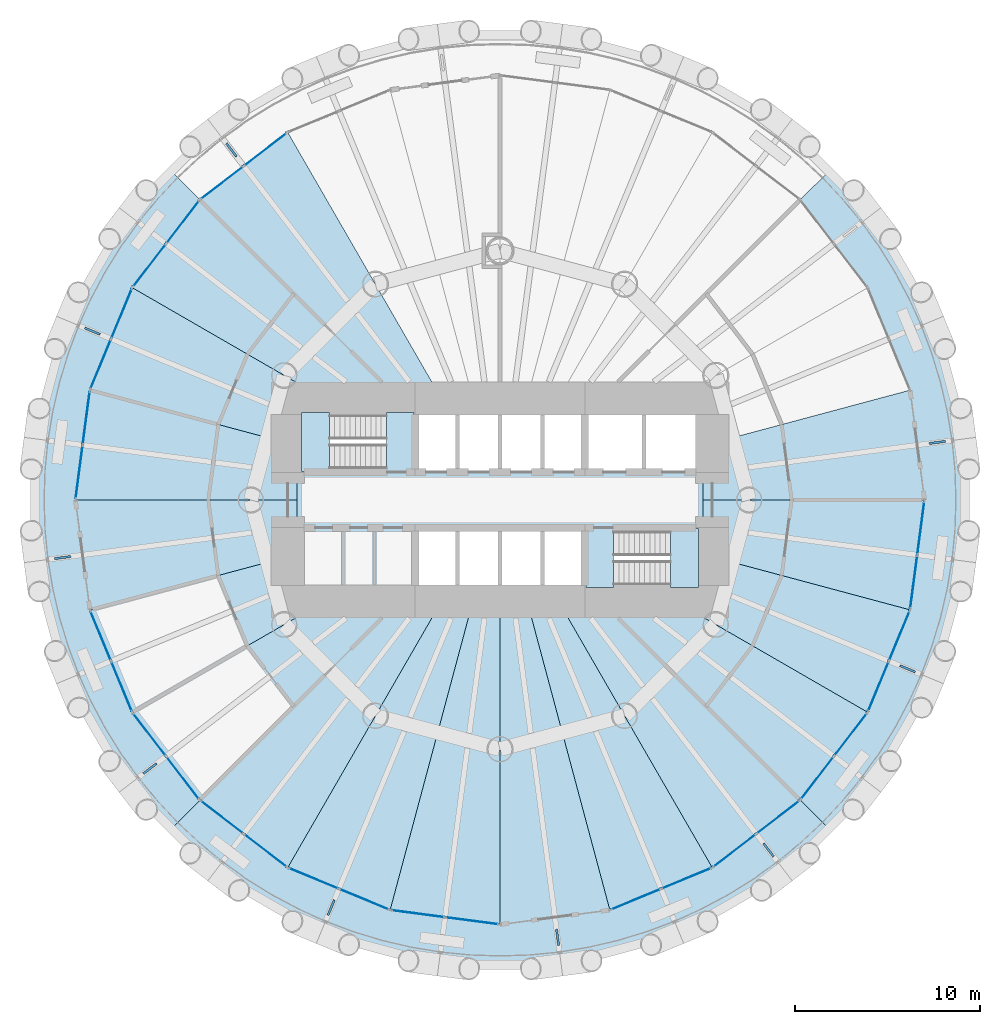
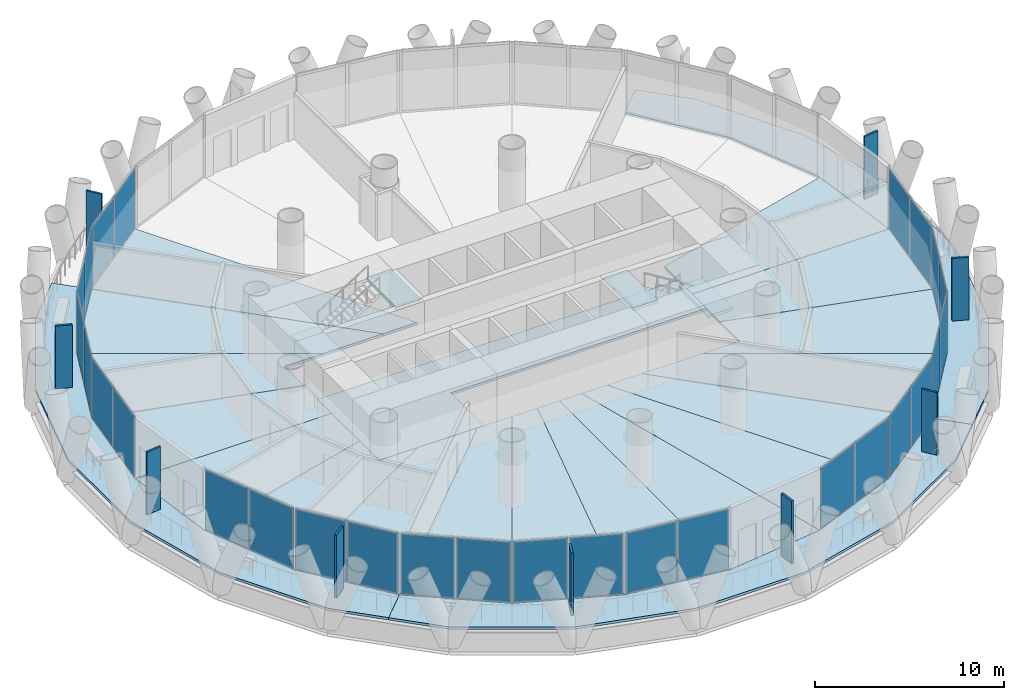
# One storey, part 7 of 14: 37 plates, 25 slabs, 16 elements without a shape of their own.
"""IFC4 building model written with IfcOpenShell, lengths in metres."""

from ifc_helpers import new_model, si_unit, direction, frame, origin, origin_2d, place, context, subcontext, project, spatial, polyline, rectangle, outline, extrude, material, layer, layer_set, type_object, element, aggregate, save


model = new_model("IFC4")

# Units and contexts
model_context = context("Model", 3, precision=1e-05, world=origin(), true_north=direction((0.0, 1.0)))
body_context = subcontext(model_context, "Body", "Model", "MODEL_VIEW")
ifc_project = project(units=[si_unit("LENGTHUNIT", "METRE"), si_unit("AREAUNIT", "SQUARE_METRE"), si_unit("VOLUMEUNIT", "CUBIC_METRE"), si_unit("PLANEANGLEUNIT", "RADIAN"), si_unit("MASSUNIT", "GRAM", prefix="KILO")], contexts=[model_context])

# Site, building, storey
site_placement = place(None, origin())
site = spatial("IfcSite", under=ifc_project, at=site_placement, CompositionType="ELEMENT")
building_placement = place(site_placement, origin())
building = spatial("IfcBuilding", under=site, at=building_placement, Name="Qaws Media Tower", CompositionType="ELEMENT")
storey_placement = place(building_placement, frame((0.0, 0.0, 68.0)))
storey = spatial("IfcBuildingStorey", under=building, at=storey_placement, Name="L14", CompositionType="ELEMENT", Elevation=68.0)

# Slabs
ifc_material_1 = material(Name="Concrete C35/45", Category="concrete")
ifc_layer_1 = layer(ifc_material_1, 0.159912109375)
ifc_layer_set_1 = layer_set([ifc_layer_1], Name="Composite balcony slab 160")
slab_type_1 = type_object("IfcSlabType", Name="Composite balcony slab 160", PredefinedType="FLOOR", material=ifc_layer_set_1)
slab_1_placement = place(storey_placement, frame((0.0, 0.0, -0.159912109375)))
element("IfcSlab", 1, at=slab_1_placement, inside=storey, type_object=slab_type_1, Name="S2 balcony slab L14 R10 to R16, movement joints on R10 and R16", PredefinedType="FLOOR", context=body_context, shape_type="SweptSolid", body=[
    extrude(outline(polyline([(39.848876953125, 34.53759765625), (36.533447265625, 40.27978515625), (34.8173828125, 46.6845703125), (34.8173828125, 53.3154296875), (36.533447265625, 59.72021484375), (39.848876953125, 65.46240234375), (42.193115234375, 67.806884765625), (43.736572265625, 66.263427734375), (40.081298828125, 61.5), (37.78369140625, 55.952880859375), (37.0, 50.0), (37.78369140625, 44.047119140625), (40.081298828125, 38.5), (43.736572265625, 33.736572265625), (42.193115234375, 32.193115234375), (39.848876953125, 34.53759765625)])), origin(), (0.0, 0.0, 1.0), 0.159912109375),
])
slab_2_placement = place(storey_placement, frame((0.0, 0.0, -0.159912109375)))
element("IfcSlab", 2, at=slab_2_placement, inside=storey, type_object=slab_type_1, Name="S2 balcony slab L14 R16 to R22, movement joints on R16 and R22", PredefinedType="FLOOR", context=body_context, shape_type="SweptSolid", body=[
    extrude(outline(polyline([(75.46240234375, 29.848876953125), (69.72021484375, 26.533447265625), (63.3154296875, 24.8173828125), (56.6845703125, 24.8173828125), (50.27978515625, 26.533447265625), (44.53759765625, 29.848876953125), (42.193115234375, 32.193115234375), (43.736572265625, 33.736572265625), (48.5, 30.081298828125), (54.047119140625, 27.78369140625), (60.0, 27.0), (65.952880859375, 27.78369140625), (71.5, 30.081298828125), (76.263427734375, 33.736572265625), (77.806884765625, 32.193115234375), (75.46240234375, 29.848876953125)])), origin(), (0.0, 0.0, 1.0), 0.159912109375),
])
slab_3_placement = place(storey_placement, frame((0.0, 0.0, -0.159912109375)))
element("IfcSlab", 3, at=slab_3_placement, inside=storey, type_object=slab_type_1, Name="S2 balcony slab L14 R22 to R04, movement joints on R22 and R04", PredefinedType="FLOOR", context=body_context, shape_type="SweptSolid", body=[
    extrude(outline(polyline([(83.466552734375, 40.27978515625), (80.151123046875, 34.53759765625), (77.806884765625, 32.193115234375), (76.263427734375, 33.736572265625), (79.918701171875, 38.5), (82.21630859375, 44.047119140625), (83.0, 50.0), (82.21630859375, 55.952880859375), (79.918701171875, 61.5), (76.263427734375, 66.263427734375), (77.806884765625, 67.806884765625), (80.151123046875, 65.46240234375), (83.466552734375, 59.72021484375), (85.1826171875, 53.3154296875), (85.1826171875, 46.6845703125), (83.466552734375, 40.27978515625)])), origin(), (0.0, 0.0, 1.0), 0.159912109375),
])
ifc_material_2 = material(Name="Concrete C35/45", Category="concrete")
ifc_layer_2 = layer(ifc_material_2, 0.159912109375)
ifc_layer_set_2 = layer_set([ifc_layer_2], Name="Composite floor slab 160")
slab_type_2 = type_object("IfcSlabType", Name="Composite floor slab 160", PredefinedType="FLOOR", material=ifc_layer_set_2)
slab_4_placement = place(storey_placement, frame((0.0, 0.0, -0.159912109375)))
element("IfcSlab", 4, at=slab_4_placement, inside=storey, type_object=slab_type_2, Name="S1 core floor slab L14", PredefinedType="FLOOR", context=body_context, shape_type="SweptSolid", body=[
    extrude(outline(polyline([(71.0, 51.5), (71.0, 48.5), (55.39990234375, 48.5), (55.39990234375, 45.0), (49.0, 45.0), (49.0, 51.5), (71.0, 51.5)])), origin(), (0.0, 0.0, 1.0), 0.159912109375),
])
slab_5_placement = place(storey_placement, frame((0.0, 0.0, -0.159912109375)))
element("IfcSlab", 5, at=slab_5_placement, inside=storey, type_object=slab_type_2, Name="S1 floor panel L14 on R01+7.5", PredefinedType="FLOOR", context=body_context, shape_type="SweptSolid", body=[
    extrude(outline(polyline([(82.21630859375, 55.952880859375), (83.0, 50.0), (71.0, 50.0), (71.0, 52.947509765625), (82.21630859375, 55.952880859375)])), origin(), (0.0, 0.0, 1.0), 0.159912109375),
])
slab_6_placement = place(storey_placement, frame((0.0, 0.0, -0.159912109375)))
element("IfcSlab", 6, at=slab_6_placement, inside=storey, type_object=slab_type_2, Name="S1 floor panel L14 on R09+7.5", PredefinedType="FLOOR", context=body_context, shape_type="SweptSolid", body=[
    extrude(outline(polyline([(43.736572265625, 66.263427734375), (48.5, 69.918701171875), (57.11328125, 55.0), (55.0, 55.0), (43.736572265625, 66.263427734375)])), origin(), (0.0, 0.0, 1.0), 0.159912109375),
])
slab_7_placement = place(storey_placement, frame((0.0, 0.0, -0.159912109375)))
element("IfcSlab", 7, at=slab_7_placement, inside=storey, type_object=slab_type_2, Name="S1 floor panel L14 on R10+7.5", PredefinedType="FLOOR", context=body_context, shape_type="SweptSolid", body=[
    extrude(outline(polyline([(40.081298828125, 61.5), (43.736572265625, 66.263427734375), (55.0, 55.0), (51.339599609375, 55.0), (40.081298828125, 61.5)])), origin(), (0.0, 0.0, 1.0), 0.159912109375),
])
slab_8_placement = place(storey_placement, frame((0.0, 0.0, -0.159912109375)))
element("IfcSlab", 8, at=slab_8_placement, inside=storey, type_object=slab_type_2, Name="S1 floor panel L14 on R11+7.5", PredefinedType="FLOOR", context=body_context, shape_type="SweptSolid", body=[
    extrude(outline(polyline([(40.081298828125, 61.5), (51.339599609375, 55.0), (49.0, 55.0), (49.0, 52.947509765625), (37.78369140625, 55.952880859375), (40.081298828125, 61.5)])), origin(), (0.0, 0.0, 1.0), 0.159912109375),
])
slab_9_placement = place(storey_placement, frame((0.0, 0.0, -0.159912109375)))
element("IfcSlab", 9, at=slab_9_placement, inside=storey, type_object=slab_type_2, Name="S1 floor panel L14 on R12+7.5", PredefinedType="FLOOR", context=body_context, shape_type="SweptSolid", body=[
    extrude(outline(polyline([(37.78369140625, 55.952880859375), (49.0, 52.947509765625), (49.0, 50.0), (37.0, 50.0), (37.78369140625, 55.952880859375)])), origin(), (0.0, 0.0, 1.0), 0.159912109375),
])
slab_10_placement = place(storey_placement, frame((0.0, 0.0, -0.159912109375)))
element("IfcSlab", 10, at=slab_10_placement, inside=storey, type_object=slab_type_2, Name="S1 floor panel L14 on R13+7.5", PredefinedType="FLOOR", context=body_context, shape_type="SweptSolid", body=[
    extrude(outline(polyline([(37.78369140625, 44.047119140625), (37.0, 50.0), (49.0, 50.0), (49.0, 47.052490234375), (37.78369140625, 44.047119140625)])), origin(), (0.0, 0.0, 1.0), 0.159912109375),
])
slab_11_placement = place(storey_placement, frame((0.0, 0.0, -0.159912109375)))
element("IfcSlab", 11, at=slab_11_placement, inside=storey, type_object=slab_type_2, Name="S1 floor panel L14 on R14+7.5", PredefinedType="FLOOR", context=body_context, shape_type="SweptSolid", body=[
    extrude(outline(polyline([(37.78369140625, 44.047119140625), (49.0, 47.052490234375), (49.0, 45.0), (51.339599609375, 45.0), (40.081298828125, 38.5), (37.78369140625, 44.047119140625)])), origin(), (0.0, 0.0, 1.0), 0.159912109375),
])
slab_12_placement = place(storey_placement, frame((0.0, 0.0, -0.159912109375)))
element("IfcSlab", 12, at=slab_12_placement, inside=storey, type_object=slab_type_2, Name="S1 floor panel L14 on R15+7.5", PredefinedType="FLOOR", context=body_context, shape_type="SweptSolid", body=[
    extrude(outline(polyline([(40.081298828125, 38.5), (51.339599609375, 45.0), (55.0, 45.0), (43.736572265625, 33.736572265625), (40.081298828125, 38.5)])), origin(), (0.0, 0.0, 1.0), 0.159912109375),
])
slab_13_placement = place(storey_placement, frame((0.0, 0.0, -0.159912109375)))
element("IfcSlab", 13, at=slab_13_placement, inside=storey, type_object=slab_type_2, Name="S1 floor panel L14 on R16+7.5", PredefinedType="FLOOR", context=body_context, shape_type="SweptSolid", body=[
    extrude(outline(polyline([(48.5, 30.081298828125), (43.736572265625, 33.736572265625), (55.0, 45.0), (57.11328125, 45.0), (48.5, 30.081298828125)])), origin(), (0.0, 0.0, 1.0), 0.159912109375),
])
slab_14_placement = place(storey_placement, frame((0.0, 0.0, -0.159912109375)))
element("IfcSlab", 14, at=slab_14_placement, inside=storey, type_object=slab_type_2, Name="S1 floor panel L14 on R17+7.5", PredefinedType="FLOOR", context=body_context, shape_type="SweptSolid", body=[
    extrude(outline(polyline([(48.5, 30.081298828125), (57.11328125, 45.0), (58.660400390625, 45.0), (54.047119140625, 27.78369140625), (48.5, 30.081298828125)])), origin(), (0.0, 0.0, 1.0), 0.159912109375),
])
slab_15_placement = place(storey_placement, frame((0.0, 0.0, -0.159912109375)))
element("IfcSlab", 15, at=slab_15_placement, inside=storey, type_object=slab_type_2, Name="S1 floor panel L14 on R18+7.5", PredefinedType="FLOOR", context=body_context, shape_type="SweptSolid", body=[
    extrude(outline(polyline([(54.047119140625, 27.78369140625), (58.660400390625, 45.0), (60.0, 45.0), (60.0, 27.0), (54.047119140625, 27.78369140625)])), origin(), (0.0, 0.0, 1.0), 0.159912109375),
])
slab_16_placement = place(storey_placement, frame((0.0, 0.0, -0.159912109375)))
element("IfcSlab", 16, at=slab_16_placement, inside=storey, type_object=slab_type_2, Name="S1 floor panel L14 on R19+7.5", PredefinedType="FLOOR", context=body_context, shape_type="SweptSolid", body=[
    extrude(outline(polyline([(65.952880859375, 27.78369140625), (60.0, 27.0), (60.0, 45.0), (61.339599609375, 45.0), (65.952880859375, 27.78369140625)])), origin(), (0.0, 0.0, 1.0), 0.159912109375),
])
slab_17_placement = place(storey_placement, frame((0.0, 0.0, -0.159912109375)))
element("IfcSlab", 17, at=slab_17_placement, inside=storey, type_object=slab_type_2, Name="S1 floor panel L14 on R20+7.5", PredefinedType="FLOOR", context=body_context, shape_type="SweptSolid", body=[
    extrude(outline(polyline([(65.952880859375, 27.78369140625), (61.339599609375, 45.0), (62.88671875, 45.0), (71.5, 30.081298828125), (65.952880859375, 27.78369140625)])), origin(), (0.0, 0.0, 1.0), 0.159912109375),
])
slab_18_placement = place(storey_placement, frame((0.0, 0.0, -0.159912109375)))
element("IfcSlab", 18, at=slab_18_placement, inside=storey, type_object=slab_type_2, Name="S1 floor panel L14 on R21+7.5", PredefinedType="FLOOR", context=body_context, shape_type="SweptSolid", body=[
    extrude(outline(polyline([(76.263427734375, 33.736572265625), (71.5, 30.081298828125), (62.88671875, 45.0), (65.0, 45.0), (76.263427734375, 33.736572265625)])), origin(), (0.0, 0.0, 1.0), 0.159912109375),
])
slab_19_placement = place(storey_placement, frame((0.0, 0.0, -0.159912109375)))
element("IfcSlab", 19, at=slab_19_placement, inside=storey, type_object=slab_type_2, Name="S1 floor panel L14 on R22+7.5", PredefinedType="FLOOR", context=body_context, shape_type="SweptSolid", body=[
    extrude(outline(polyline([(79.918701171875, 38.5), (76.263427734375, 33.736572265625), (65.0, 45.0), (68.660400390625, 45.0), (79.918701171875, 38.5)])), origin(), (0.0, 0.0, 1.0), 0.159912109375),
])
slab_20_placement = place(storey_placement, frame((0.0, 0.0, -0.159912109375)))
element("IfcSlab", 20, at=slab_20_placement, inside=storey, type_object=slab_type_2, Name="S1 floor panel L14 on R23+7.5", PredefinedType="FLOOR", context=body_context, shape_type="SweptSolid", body=[
    extrude(outline(polyline([(79.918701171875, 38.5), (68.660400390625, 45.0), (71.0, 45.0), (71.0, 47.052490234375), (82.21630859375, 44.047119140625), (79.918701171875, 38.5)])), origin(), (0.0, 0.0, 1.0), 0.159912109375),
])
slab_21_placement = place(storey_placement, frame((0.0, 0.0, -0.159912109375)))
element("IfcSlab", 21, at=slab_21_placement, inside=storey, type_object=slab_type_2, Name="S1 floor panel L14 on R24+7.5", PredefinedType="FLOOR", context=body_context, shape_type="SweptSolid", body=[
    extrude(outline(polyline([(82.21630859375, 44.047119140625), (71.0, 47.052490234375), (71.0, 50.0), (83.0, 50.0), (82.21630859375, 44.047119140625)])), origin(), (0.0, 0.0, 1.0), 0.159912109375),
])

# Curtain wall, plates
ifc_material_3 = material(Name="Aluminium and clear glass", Category="aluminium")
curtain_wall_type = type_object("IfcCurtainWallType", Name="Unitised curtain wall CW-A", PredefinedType="NOTDEFINED", material=ifc_material_3)
curtain_wall_1_placement = place(storey_placement, origin())
curtain_wall_1 = element("IfcCurtainWall", 22, at=curtain_wall_1_placement, inside=storey, type_object=curtain_wall_type, Name="CWA curtain wall L14-09", PredefinedType="NOTDEFINED")
ifc_material_4 = material(Name="Clear laminated double glazing", Category="glass")
ifc_layer_3 = layer(ifc_material_4, 0.031982421875)
ifc_layer_set_3 = layer_set([ifc_layer_3], Name="Curtain wall glass unit 32")
plate_type_1 = type_object("IfcPlateType", Name="Curtain wall glass unit 32", PredefinedType="CURTAIN_PANEL", material=ifc_layer_set_3)
plate_1_placement = place(storey_placement, frame((47.293212890625, 68.99267578125, 0.080078125), z_axis=(0.0, 0.0, 1.0), x_axis=(-0.793353368033, -0.608761392855, 0.0)))
plate_1 = element("IfcPlate", 23, at=plate_1_placement, type_object=plate_type_1, Name="CWA panel 1.1", PredefinedType="CURTAIN_PANEL", context=body_context, shape_type="SweptSolid", body=[
    extrude(rectangle(XDim=2.882080078125, YDim=0.031982421875, at=origin_2d()), origin(), (0.0, 0.0, 1.0), 3.8798828125),
])
plate_2_placement = place(storey_placement, frame((44.943359375, 67.189453125, 0.080078125), z_axis=(0.0, 0.0, 1.0), x_axis=(-0.793353368033, -0.608761392855, 0.0)))
plate_2 = element("IfcPlate", 24, at=plate_2_placement, type_object=plate_type_1, Name="CWA panel 2.1", PredefinedType="CURTAIN_PANEL", context=body_context, shape_type="SweptSolid", body=[
    extrude(rectangle(XDim=2.882080078125, YDim=0.031982421875, at=origin_2d()), origin(), (0.0, 0.0, 1.0), 3.8798828125),
])
aggregate(curtain_wall_1, [plate_1, plate_2])

curtain_wall_2_placement = place(storey_placement, origin())
curtain_wall_2 = element("IfcCurtainWall", 25, at=curtain_wall_2_placement, inside=storey, type_object=curtain_wall_type, Name="CWA curtain wall L14-10", PredefinedType="NOTDEFINED")
plate_3_placement = place(storey_placement, frame((42.810546875, 65.056640625, 0.080078125), z_axis=(0.0, 0.0, 1.0), x_axis=(-0.608761392855, -0.793353368033, 0.0)))
plate_3 = element("IfcPlate", 26, at=plate_3_placement, type_object=plate_type_1, Name="CWA panel 1.1", PredefinedType="CURTAIN_PANEL", context=body_context, shape_type="SweptSolid", body=[
    extrude(rectangle(XDim=2.882080078125, YDim=0.031982421875, at=origin_2d()), origin(), (0.0, 0.0, 1.0), 3.8798828125),
])
plate_4_placement = place(storey_placement, frame((41.00732421875, 62.706787109375, 0.080078125), z_axis=(0.0, 0.0, 1.0), x_axis=(-0.608761392855, -0.793353368033, 0.0)))
plate_4 = element("IfcPlate", 27, at=plate_4_placement, type_object=plate_type_1, Name="CWA panel 2.1", PredefinedType="CURTAIN_PANEL", context=body_context, shape_type="SweptSolid", body=[
    extrude(rectangle(XDim=2.882080078125, YDim=0.031982421875, at=origin_2d()), origin(), (0.0, 0.0, 1.0), 3.8798828125),
])
aggregate(curtain_wall_2, [plate_3, plate_4])

curtain_wall_3_placement = place(storey_placement, origin())
curtain_wall_3 = element("IfcCurtainWall", 28, at=curtain_wall_3_placement, inside=storey, type_object=curtain_wall_type, Name="CWA curtain wall L14-11", PredefinedType="NOTDEFINED")
plate_5_placement = place(storey_placement, frame((39.499267578125, 60.0947265625, 0.080078125), z_axis=(0.0, 0.0, 1.0), x_axis=(-0.382683470307, -0.923879516795, 0.0)))
plate_5 = element("IfcPlate", 29, at=plate_5_placement, type_object=plate_type_1, Name="CWA panel 1.1", PredefinedType="CURTAIN_PANEL", context=body_context, shape_type="SweptSolid", body=[
    extrude(rectangle(XDim=2.882080078125, YDim=0.031982421875, at=origin_2d()), origin(), (0.0, 0.0, 1.0), 3.8798828125),
])
plate_6_placement = place(storey_placement, frame((38.36572265625, 57.358154296875, 0.080078125), z_axis=(0.0, 0.0, 1.0), x_axis=(-0.382683470307, -0.923879516795, 0.0)))
plate_6 = element("IfcPlate", 30, at=plate_6_placement, type_object=plate_type_1, Name="CWA panel 2.1", PredefinedType="CURTAIN_PANEL", context=body_context, shape_type="SweptSolid", body=[
    extrude(rectangle(XDim=2.882080078125, YDim=0.031982421875, at=origin_2d()), origin(), (0.0, 0.0, 1.0), 3.8798828125),
])
aggregate(curtain_wall_3, [plate_5, plate_6])

curtain_wall_4_placement = place(storey_placement, origin())
curtain_wall_4 = element("IfcCurtainWall", 31, at=curtain_wall_4_placement, inside=storey, type_object=curtain_wall_type, Name="CWA curtain wall L14-12", PredefinedType="NOTDEFINED")
plate_7_placement = place(storey_placement, frame((37.585205078125, 54.44482421875, 0.080078125), z_axis=(0.0, 0.0, 1.0), x_axis=(-0.130526193795, -0.991444861167, 0.0)))
plate_7 = element("IfcPlate", 32, at=plate_7_placement, type_object=plate_type_1, Name="CWA panel 1.1", PredefinedType="CURTAIN_PANEL", context=body_context, shape_type="SweptSolid", body=[
    extrude(rectangle(XDim=2.882080078125, YDim=0.031982421875, at=origin_2d()), origin(), (0.0, 0.0, 1.0), 3.8798828125),
])
plate_8_placement = place(storey_placement, frame((37.198486328125, 51.508056640625, 0.080078125), z_axis=(0.0, 0.0, 1.0), x_axis=(-0.130526193795, -0.991444861167, 0.0)))
plate_8 = element("IfcPlate", 33, at=plate_8_placement, type_object=plate_type_1, Name="CWA panel 2.1", PredefinedType="CURTAIN_PANEL", context=body_context, shape_type="SweptSolid", body=[
    extrude(rectangle(XDim=2.882080078125, YDim=0.031982421875, at=origin_2d()), origin(), (0.0, 0.0, 1.0), 3.8798828125),
])
aggregate(curtain_wall_4, [plate_7, plate_8])

curtain_wall_5_placement = place(storey_placement, origin())
curtain_wall_5 = element("IfcCurtainWall", 34, at=curtain_wall_5_placement, inside=storey, type_object=curtain_wall_type, Name="CWA curtain wall L14-14", PredefinedType="NOTDEFINED")
plate_9_placement = place(storey_placement, frame((38.36572265625, 42.641845703125, 0.080078125), z_axis=(0.0, 0.0, 1.0), x_axis=(0.382683470307, -0.923879516795, 0.0)))
plate_9 = element("IfcPlate", 35, at=plate_9_placement, type_object=plate_type_1, Name="CWA panel 1.1", PredefinedType="CURTAIN_PANEL", context=body_context, shape_type="SweptSolid", body=[
    extrude(rectangle(XDim=2.882080078125, YDim=0.031982421875, at=origin_2d()), origin(), (0.0, 0.0, 1.0), 3.8798828125),
])
plate_10_placement = place(storey_placement, frame((39.499267578125, 39.9052734375, 0.080078125), z_axis=(0.0, 0.0, 1.0), x_axis=(0.382683470307, -0.923879516795, 0.0)))
plate_10 = element("IfcPlate", 36, at=plate_10_placement, type_object=plate_type_1, Name="CWA panel 2.1", PredefinedType="CURTAIN_PANEL", context=body_context, shape_type="SweptSolid", body=[
    extrude(rectangle(XDim=2.882080078125, YDim=0.031982421875, at=origin_2d()), origin(), (0.0, 0.0, 1.0), 3.8798828125),
])
aggregate(curtain_wall_5, [plate_9, plate_10])

curtain_wall_6_placement = place(storey_placement, origin())
curtain_wall_6 = element("IfcCurtainWall", 37, at=curtain_wall_6_placement, inside=storey, type_object=curtain_wall_type, Name="CWA curtain wall L14-15", PredefinedType="NOTDEFINED")
plate_11_placement = place(storey_placement, frame((41.00732421875, 37.293212890625, 0.080078125), z_axis=(0.0, 0.0, 1.0), x_axis=(0.608761392855, -0.793353368033, 0.0)))
plate_11 = element("IfcPlate", 38, at=plate_11_placement, type_object=plate_type_1, Name="CWA panel 1.1", PredefinedType="CURTAIN_PANEL", context=body_context, shape_type="SweptSolid", body=[
    extrude(rectangle(XDim=2.882080078125, YDim=0.031982421875, at=origin_2d()), origin(), (0.0, 0.0, 1.0), 3.8798828125),
])
plate_12_placement = place(storey_placement, frame((42.810546875, 34.943359375, 0.080078125), z_axis=(0.0, 0.0, 1.0), x_axis=(0.608761392855, -0.793353368033, 0.0)))
plate_12 = element("IfcPlate", 39, at=plate_12_placement, type_object=plate_type_1, Name="CWA panel 2.1", PredefinedType="CURTAIN_PANEL", context=body_context, shape_type="SweptSolid", body=[
    extrude(rectangle(XDim=2.882080078125, YDim=0.031982421875, at=origin_2d()), origin(), (0.0, 0.0, 1.0), 3.8798828125),
])
aggregate(curtain_wall_6, [plate_11, plate_12])

curtain_wall_7_placement = place(storey_placement, origin())
curtain_wall_7 = element("IfcCurtainWall", 40, at=curtain_wall_7_placement, inside=storey, type_object=curtain_wall_type, Name="CWA curtain wall L14-16", PredefinedType="NOTDEFINED")
plate_13_placement = place(storey_placement, frame((44.943359375, 32.810546875, 0.080078125), z_axis=(0.0, 0.0, 1.0), x_axis=(0.793353368033, -0.608761392855, 0.0)))
plate_13 = element("IfcPlate", 41, at=plate_13_placement, type_object=plate_type_1, Name="CWA panel 1.1", PredefinedType="CURTAIN_PANEL", context=body_context, shape_type="SweptSolid", body=[
    extrude(rectangle(XDim=2.882080078125, YDim=0.031982421875, at=origin_2d()), origin(), (0.0, 0.0, 1.0), 3.8798828125),
])
plate_14_placement = place(storey_placement, frame((47.293212890625, 31.00732421875, 0.080078125), z_axis=(0.0, 0.0, 1.0), x_axis=(0.793353368033, -0.608761392855, 0.0)))
plate_14 = element("IfcPlate", 42, at=plate_14_placement, type_object=plate_type_1, Name="CWA panel 2.1", PredefinedType="CURTAIN_PANEL", context=body_context, shape_type="SweptSolid", body=[
    extrude(rectangle(XDim=2.882080078125, YDim=0.031982421875, at=origin_2d()), origin(), (0.0, 0.0, 1.0), 3.8798828125),
])
aggregate(curtain_wall_7, [plate_13, plate_14])

curtain_wall_8_placement = place(storey_placement, origin())
curtain_wall_8 = element("IfcCurtainWall", 43, at=curtain_wall_8_placement, inside=storey, type_object=curtain_wall_type, Name="CWA curtain wall L14-17", PredefinedType="NOTDEFINED")
plate_15_placement = place(storey_placement, frame((49.9052734375, 29.499267578125, 0.080078125), z_axis=(0.0, 0.0, 1.0), x_axis=(0.923879516795, -0.382683470307, 0.0)))
plate_15 = element("IfcPlate", 44, at=plate_15_placement, type_object=plate_type_1, Name="CWA panel 1.1", PredefinedType="CURTAIN_PANEL", context=body_context, shape_type="SweptSolid", body=[
    extrude(rectangle(XDim=2.882080078125, YDim=0.031982421875, at=origin_2d()), origin(), (0.0, 0.0, 1.0), 3.8798828125),
])
plate_16_placement = place(storey_placement, frame((52.641845703125, 28.36572265625, 0.080078125), z_axis=(0.0, 0.0, 1.0), x_axis=(0.923879516795, -0.382683470307, 0.0)))
plate_16 = element("IfcPlate", 45, at=plate_16_placement, type_object=plate_type_1, Name="CWA panel 2.1", PredefinedType="CURTAIN_PANEL", context=body_context, shape_type="SweptSolid", body=[
    extrude(rectangle(XDim=2.882080078125, YDim=0.031982421875, at=origin_2d()), origin(), (0.0, 0.0, 1.0), 3.8798828125),
])
aggregate(curtain_wall_8, [plate_15, plate_16])

curtain_wall_9_placement = place(storey_placement, origin())
curtain_wall_9 = element("IfcCurtainWall", 46, at=curtain_wall_9_placement, inside=storey, type_object=curtain_wall_type, Name="CWA curtain wall L14-18", PredefinedType="NOTDEFINED")
plate_17_placement = place(storey_placement, frame((55.55517578125, 27.585205078125, 0.080078125), z_axis=(0.0, 0.0, 1.0), x_axis=(0.991444861167, -0.130526193795, 0.0)))
plate_17 = element("IfcPlate", 47, at=plate_17_placement, type_object=plate_type_1, Name="CWA panel 1.1", PredefinedType="CURTAIN_PANEL", context=body_context, shape_type="SweptSolid", body=[
    extrude(rectangle(XDim=2.882080078125, YDim=0.031982421875, at=origin_2d()), origin(), (0.0, 0.0, 1.0), 3.8798828125),
])
plate_18_placement = place(storey_placement, frame((58.491943359375, 27.198486328125, 0.080078125), z_axis=(0.0, 0.0, 1.0), x_axis=(0.991444861167, -0.130526193795, 0.0)))
plate_18 = element("IfcPlate", 48, at=plate_18_placement, type_object=plate_type_1, Name="CWA panel 2.1", PredefinedType="CURTAIN_PANEL", context=body_context, shape_type="SweptSolid", body=[
    extrude(rectangle(XDim=2.882080078125, YDim=0.031982421875, at=origin_2d()), origin(), (0.0, 0.0, 1.0), 3.8798828125),
])
aggregate(curtain_wall_9, [plate_17, plate_18])

curtain_wall_10_placement = place(storey_placement, origin())
curtain_wall_10 = element("IfcCurtainWall", 49, at=curtain_wall_10_placement, inside=storey, type_object=curtain_wall_type, Name="CWA curtain wall L14-20", PredefinedType="NOTDEFINED")
plate_19_placement = place(storey_placement, frame((67.358154296875, 28.36572265625, 0.080078125), z_axis=(0.0, 0.0, 1.0), x_axis=(0.923879516795, 0.382683470307, 0.0)))
plate_19 = element("IfcPlate", 50, at=plate_19_placement, type_object=plate_type_1, Name="CWA panel 1.1", PredefinedType="CURTAIN_PANEL", context=body_context, shape_type="SweptSolid", body=[
    extrude(rectangle(XDim=2.882080078125, YDim=0.031982421875, at=origin_2d()), origin(), (0.0, 0.0, 1.0), 3.8798828125),
])
plate_20_placement = place(storey_placement, frame((70.0947265625, 29.499267578125, 0.080078125), z_axis=(0.0, 0.0, 1.0), x_axis=(0.923879516795, 0.382683470307, 0.0)))
plate_20 = element("IfcPlate", 51, at=plate_20_placement, type_object=plate_type_1, Name="CWA panel 2.1", PredefinedType="CURTAIN_PANEL", context=body_context, shape_type="SweptSolid", body=[
    extrude(rectangle(XDim=2.882080078125, YDim=0.031982421875, at=origin_2d()), origin(), (0.0, 0.0, 1.0), 3.8798828125),
])
aggregate(curtain_wall_10, [plate_19, plate_20])

curtain_wall_11_placement = place(storey_placement, origin())
curtain_wall_11 = element("IfcCurtainWall", 52, at=curtain_wall_11_placement, inside=storey, type_object=curtain_wall_type, Name="CWA curtain wall L14-21", PredefinedType="NOTDEFINED")
plate_21_placement = place(storey_placement, frame((72.706787109375, 31.00732421875, 0.080078125), z_axis=(0.0, 0.0, 1.0), x_axis=(0.793353368033, 0.608761392855, 0.0)))
plate_21 = element("IfcPlate", 53, at=plate_21_placement, type_object=plate_type_1, Name="CWA panel 1.1", PredefinedType="CURTAIN_PANEL", context=body_context, shape_type="SweptSolid", body=[
    extrude(rectangle(XDim=2.882080078125, YDim=0.031982421875, at=origin_2d()), origin(), (0.0, 0.0, 1.0), 3.8798828125),
])
plate_22_placement = place(storey_placement, frame((75.056640625, 32.810546875, 0.080078125), z_axis=(0.0, 0.0, 1.0), x_axis=(0.793353368033, 0.608761392855, 0.0)))
plate_22 = element("IfcPlate", 54, at=plate_22_placement, type_object=plate_type_1, Name="CWA panel 2.1", PredefinedType="CURTAIN_PANEL", context=body_context, shape_type="SweptSolid", body=[
    extrude(rectangle(XDim=2.882080078125, YDim=0.031982421875, at=origin_2d()), origin(), (0.0, 0.0, 1.0), 3.8798828125),
])
aggregate(curtain_wall_11, [plate_21, plate_22])

curtain_wall_12_placement = place(storey_placement, origin())
curtain_wall_12 = element("IfcCurtainWall", 55, at=curtain_wall_12_placement, inside=storey, type_object=curtain_wall_type, Name="CWA curtain wall L14-22", PredefinedType="NOTDEFINED")
plate_23_placement = place(storey_placement, frame((77.189453125, 34.943359375, 0.080078125), z_axis=(0.0, 0.0, 1.0), x_axis=(0.608761392855, 0.793353368033, 0.0)))
plate_23 = element("IfcPlate", 56, at=plate_23_placement, type_object=plate_type_1, Name="CWA panel 1.1", PredefinedType="CURTAIN_PANEL", context=body_context, shape_type="SweptSolid", body=[
    extrude(rectangle(XDim=2.882080078125, YDim=0.031982421875, at=origin_2d()), origin(), (0.0, 0.0, 1.0), 3.8798828125),
])
plate_24_placement = place(storey_placement, frame((78.99267578125, 37.293212890625, 0.080078125), z_axis=(0.0, 0.0, 1.0), x_axis=(0.608761392855, 0.793353368033, 0.0)))
plate_24 = element("IfcPlate", 57, at=plate_24_placement, type_object=plate_type_1, Name="CWA panel 2.1", PredefinedType="CURTAIN_PANEL", context=body_context, shape_type="SweptSolid", body=[
    extrude(rectangle(XDim=2.882080078125, YDim=0.031982421875, at=origin_2d()), origin(), (0.0, 0.0, 1.0), 3.8798828125),
])
aggregate(curtain_wall_12, [plate_23, plate_24])

curtain_wall_13_placement = place(storey_placement, origin())
curtain_wall_13 = element("IfcCurtainWall", 58, at=curtain_wall_13_placement, inside=storey, type_object=curtain_wall_type, Name="CWA curtain wall L14-23", PredefinedType="NOTDEFINED")
plate_25_placement = place(storey_placement, frame((80.500732421875, 39.9052734375, 0.080078125), z_axis=(0.0, 0.0, 1.0), x_axis=(0.382683470307, 0.923879516795, 0.0)))
plate_25 = element("IfcPlate", 59, at=plate_25_placement, type_object=plate_type_1, Name="CWA panel 1.1", PredefinedType="CURTAIN_PANEL", context=body_context, shape_type="SweptSolid", body=[
    extrude(rectangle(XDim=2.882080078125, YDim=0.031982421875, at=origin_2d()), origin(), (0.0, 0.0, 1.0), 3.8798828125),
])
plate_26_placement = place(storey_placement, frame((81.63427734375, 42.641845703125, 0.080078125), z_axis=(0.0, 0.0, 1.0), x_axis=(0.382683470307, 0.923879516795, 0.0)))
plate_26 = element("IfcPlate", 60, at=plate_26_placement, type_object=plate_type_1, Name="CWA panel 2.1", PredefinedType="CURTAIN_PANEL", context=body_context, shape_type="SweptSolid", body=[
    extrude(rectangle(XDim=2.882080078125, YDim=0.031982421875, at=origin_2d()), origin(), (0.0, 0.0, 1.0), 3.8798828125),
])
aggregate(curtain_wall_13, [plate_25, plate_26])

curtain_wall_14_placement = place(storey_placement, origin())
curtain_wall_14 = element("IfcCurtainWall", 61, at=curtain_wall_14_placement, inside=storey, type_object=curtain_wall_type, Name="CWA curtain wall L14-24", PredefinedType="NOTDEFINED")
plate_27_placement = place(storey_placement, frame((82.414794921875, 45.55517578125, 0.080078125), z_axis=(0.0, 0.0, 1.0), x_axis=(0.130526193795, 0.991444861167, 0.0)))
plate_27 = element("IfcPlate", 62, at=plate_27_placement, type_object=plate_type_1, Name="CWA panel 1.1", PredefinedType="CURTAIN_PANEL", context=body_context, shape_type="SweptSolid", body=[
    extrude(rectangle(XDim=2.882080078125, YDim=0.031982421875, at=origin_2d()), origin(), (0.0, 0.0, 1.0), 3.8798828125),
])
plate_28_placement = place(storey_placement, frame((82.801513671875, 48.491943359375, 0.080078125), z_axis=(0.0, 0.0, 1.0), x_axis=(0.130526193795, 0.991444861167, 0.0)))
plate_28 = element("IfcPlate", 63, at=plate_28_placement, type_object=plate_type_1, Name="CWA panel 2.1", PredefinedType="CURTAIN_PANEL", context=body_context, shape_type="SweptSolid", body=[
    extrude(rectangle(XDim=2.882080078125, YDim=0.031982421875, at=origin_2d()), origin(), (0.0, 0.0, 1.0), 3.8798828125),
])
aggregate(curtain_wall_14, [plate_27, plate_28])

# Plates
ifc_material_5 = material(Name="Precast concrete screen fin", Category="concrete")
ifc_layer_4 = layer(ifc_material_5, 0.1201171875)
ifc_layer_set_4 = layer_set([ifc_layer_4], Name="Screen fin 120x900")
plate_type_2 = type_object("IfcPlateType", Name="Screen fin 120x900", PredefinedType="USERDEFINED", material=ifc_layer_set_4)
for number, where, z_axis, x_axis, name in (
    (64, (83.695556640625, 53.11962890625, 0.0), (0.0, 0.0, 1.0), (0.991444861374, 0.13052619222, 0.0), "SCR1 screen fin L14-01"),
    (65, (45.45068359375, 68.961181640625, 0.0), (0.0, 0.0, 1.0), (-0.608761429009, 0.793353340291, 0.0), "SCR1 screen fin L14-05"),
    (66, (37.919189453125, 59.146240234375, 0.0), (0.0, 0.0, 1.0), (-0.923879532511, 0.382683432365, 0.0), "SCR1 screen fin L14-06"),
    (67, (36.304443359375, 46.88037109375, 0.0), (0.0, 0.0, 1.0), (-0.991444861374, -0.13052619222, 0.0), "SCR1 screen fin L14-07"),
    (68, (41.038818359375, 35.45068359375, 0.0), (0.0, 0.0, 1.0), (-0.793353340291, -0.608761429009, 0.0), "SCR1 screen fin L14-08"),
    (69, (50.853759765625, 27.919189453125, 0.0), (0.0, 0.0, 1.0), (-0.382683432365, -0.923879532511, 0.0), "SCR1 screen fin L14-09"),
    (70, (63.11962890625, 26.304443359375, 0.0), (0.0, 0.0, 1.0), (0.13052619222, -0.991444861374, 0.0), "SCR1 screen fin L14-10"),
    (71, (74.54931640625, 31.038818359375, 0.0), (0.0, 0.0, 1.0), (0.608761429009, -0.793353340291, 0.0), "SCR1 screen fin L14-11"),
    (72, (82.080810546875, 40.853759765625, 0.0), (0.0, 0.0, 1.0), (0.923879532511, -0.382683432365, 0.0), "SCR1 screen fin L14-12"),
):
    element("IfcPlate", number, at=place(storey_placement, frame(where, z_axis=z_axis, x_axis=x_axis)), inside=storey, type_object=plate_type_2, Name=name, ObjectType="SCREEN", PredefinedType="USERDEFINED", context=body_context, shape_type="SweptSolid", body=[
        extrude(rectangle(XDim=0.89990234375, YDim=0.1201171875, at=origin_2d()), origin(), (0.0, 0.0, 1.0), 4.0400390625),
    ])

# Stair, slabs
ifc_material_6 = material(Name="Concrete C40/50", Category="concrete")
stair_type = type_object("IfcStairType", Name="Exit stair", PredefinedType="HALF_TURN_STAIR", material=ifc_material_6)
stair_1_placement = place(storey_placement, origin())
stair_1 = element("IfcStair", 73, at=stair_1_placement, inside=storey, type_object=stair_type, Name="S1 exit stair L14", PredefinedType="HALF_TURN_STAIR")
ifc_material_7 = material(Name="Concrete C40/50", Category="concrete")
ifc_layer_5 = layer(ifc_material_7, 0.199951171875)
ifc_layer_set_5 = layer_set([ifc_layer_5], Name="Stair landing 200")
slab_type_3 = type_object("IfcSlabType", Name="Stair landing 200", PredefinedType="LANDING", material=ifc_layer_set_5)
slab_22_placement = place(storey_placement, frame((0.0, 0.0, 1.89990234375)))
slab_22 = element("IfcSlab", 74, at=slab_22_placement, type_object=slab_type_3, Name="S1 landing 1", PredefinedType="LANDING", context=body_context, shape_type="SweptSolid", body=[
    extrude(outline(polyline([(49.25, 51.550048828125), (50.760009765625, 51.550048828125), (50.760009765625, 54.75), (49.25, 54.75), (49.25, 51.550048828125)])), origin(), (0.0, 0.0, 1.0), 0.2001953125),
])
slab_23_placement = place(storey_placement, frame((0.0, 0.0, 4.0)))
slab_23 = element("IfcSlab", 75, at=slab_23_placement, type_object=slab_type_3, Name="S1 landing 2", PredefinedType="LANDING", context=body_context, shape_type="SweptSolid", body=[
    extrude(outline(polyline([(53.840087890625, 51.550048828125), (55.35009765625, 51.550048828125), (55.35009765625, 54.75), (53.840087890625, 54.75), (53.840087890625, 51.550048828125)])), origin(), (0.0, 0.0, 1.0), 0.199951171875),
])
aggregate(stair_1, [slab_22, slab_23])

stair_2_placement = place(storey_placement, origin())
stair_2 = element("IfcStair", 76, at=stair_2_placement, inside=storey, type_object=stair_type, Name="S2 exit stair L14", PredefinedType="HALF_TURN_STAIR")
slab_24_placement = place(storey_placement, frame((0.0, 0.0, 1.89990234375)))
slab_24 = element("IfcSlab", 77, at=slab_24_placement, type_object=slab_type_3, Name="S2 landing 1", PredefinedType="LANDING", context=body_context, shape_type="SweptSolid", body=[
    extrude(outline(polyline([(69.239990234375, 45.25), (70.75, 45.25), (70.75, 48.449951171875), (69.239990234375, 48.449951171875), (69.239990234375, 45.25)])), origin(), (0.0, 0.0, 1.0), 0.2001953125),
])
slab_25_placement = place(storey_placement, frame((0.0, 0.0, 4.0)))
slab_25 = element("IfcSlab", 78, at=slab_25_placement, type_object=slab_type_3, Name="S2 landing 2", PredefinedType="LANDING", context=body_context, shape_type="SweptSolid", body=[
    extrude(outline(polyline([(64.64990234375, 45.25), (66.159912109375, 45.25), (66.159912109375, 48.449951171875), (64.64990234375, 48.449951171875), (64.64990234375, 45.25)])), origin(), (0.0, 0.0, 1.0), 0.199951171875),
])
aggregate(stair_2, [slab_24, slab_25])

save(model, "model.ifc")
